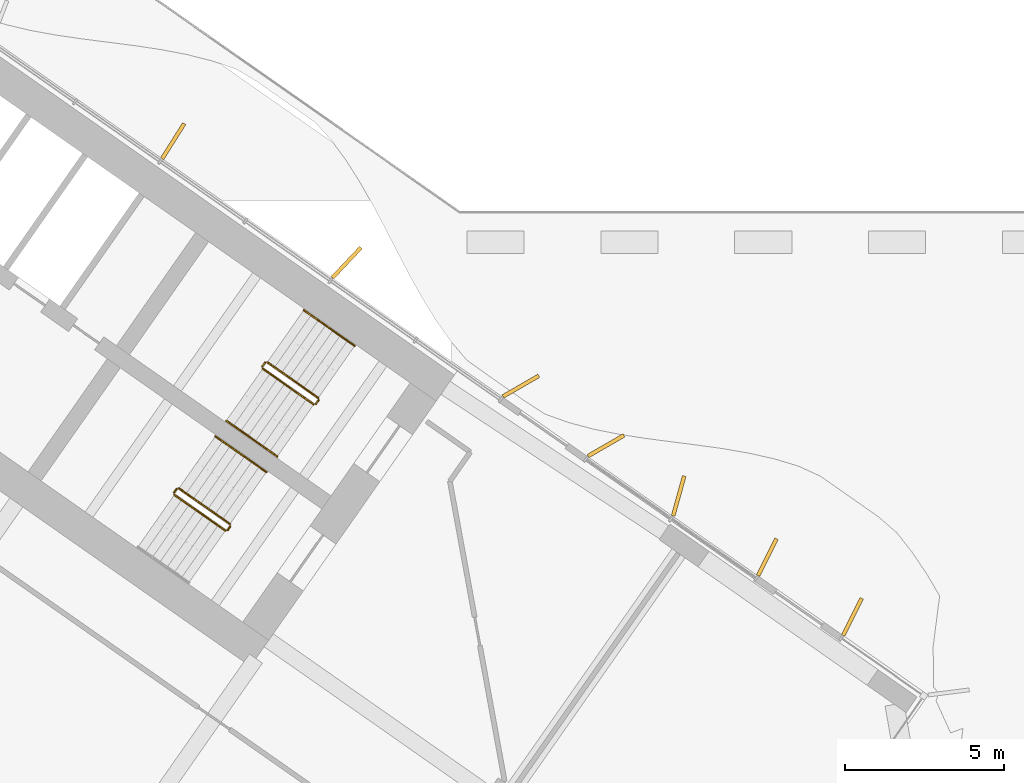
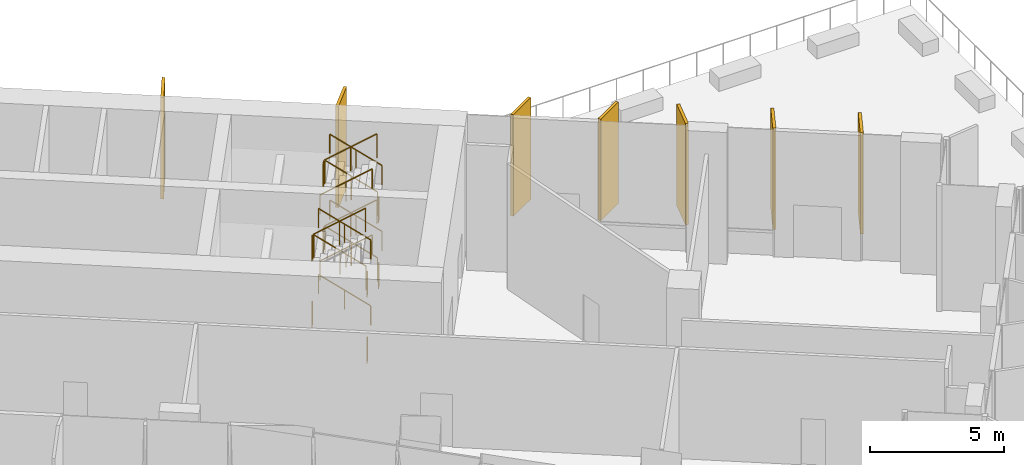
# One storey, part 26 of 27: 20 railings, 7 shading devices.
"""IFC4 building model written with IfcOpenShell, lengths in metres."""

from ifc_helpers import new_model, si_unit, direction, frame, origin, origin_2d, place, context, subcontext, project, spatial, rectangle, circle, extrude, material, layer, layer_set, type_object, element, save


model = new_model("IFC4")

# Units and contexts
model_context = context("Model", 3, precision=1e-05, world=origin(), true_north=direction((0.0, 1.0)))
body_context = subcontext(model_context, "Body", "Model", "MODEL_VIEW")
ifc_project = project(units=[si_unit("LENGTHUNIT", "METRE"), si_unit("AREAUNIT", "SQUARE_METRE"), si_unit("VOLUMEUNIT", "CUBIC_METRE"), si_unit("PLANEANGLEUNIT", "RADIAN"), si_unit("MASSUNIT", "GRAM", prefix="KILO")], contexts=[model_context])

# Site, building, storey
site_placement = place(None, origin())
site = spatial("IfcSite", under=ifc_project, at=site_placement, CompositionType="ELEMENT")
building_placement = place(site_placement, origin())
building = spatial("IfcBuilding", under=site, at=building_placement, Name="Tel Ilan Convention Tower", CompositionType="ELEMENT")
storey_placement = place(building_placement, frame((0.0, 0.0, 48.5)))
storey = spatial("IfcBuildingStorey", under=building, at=storey_placement, Name="L07", CompositionType="ELEMENT", Elevation=48.5)

# Shading devices
ifc_material_1 = material(Name="Aluminium, bronze anodised", Category="aluminium")
ifc_layer = layer(ifc_material_1, 0.1201171875)
ifc_layer_set = layer_set([ifc_layer], Name="FIN BRONZE 1300x120")
shading_device_type = type_object("IfcShadingDeviceType", Name="FIN BRONZE 1300x120", PredefinedType="USERDEFINED", material=ifc_layer_set)
for number, where, z_axis, x_axis, name in (
    (1, (40.50048828125, -14.74560546875, 1.099853515625), (0.0, 0.0, 1.0), (0.448799180206, 0.893632640321, 0.0), "FIN"),
    (2, (37.8203125, -12.86865234375, 1.099853515625), (0.0, 0.0, 1.0), (0.448799180206, 0.893632640321, 0.0), "FIN"),
    (3, (35.029052734375, -10.9375, 1.099853515625), (0.0, 0.0, 1.0), (0.268172612768, 0.963370878614, 0.0), "FIN"),
    (4, (32.740478515625, -9.357421875, 1.099853515625), (0.0, 0.0, 1.0), (0.866025403784, 0.5, 0.0), "FIN"),
    (5, (30.060302734375, -7.480712890625, 1.099853515625), (0.0, 0.0, 1.0), (0.866025403784, 0.5, 0.0), "FIN"),
    (6, (24.5732421875, -3.593017578125, 1.099853515625), (0.0, 0.0, 1.0), (0.686241637865, 0.727373641577, 0.0), "FIN"),
    (7, (19.10986328125, 0.232666015625, 1.099853515625), (0.0, 0.0, 1.0), (0.533204432798, 0.845986425922, 0.0), "FIN"),
):
    element("IfcShadingDevice", number, at=place(storey_placement, frame(where, z_axis=z_axis, x_axis=x_axis)), inside=storey, type_object=shading_device_type, Name=name, ObjectType="FIN", PredefinedType="USERDEFINED", context=body_context, shape_type="SweptSolid", body=[
        extrude(rectangle(XDim=1.300048828125, YDim=0.1201171875, at=origin_2d()), origin(), (0.0, 0.0, 1.0), 4.6201171875),
    ])

# Railings
ifc_material_2 = material(Name="Stainless Steel Grade 316", Category="steel")
railing_type_1 = type_object("IfcRailingType", Name="Stainless Steel Stair Guard 1100 mm", PredefinedType="GUARDRAIL", material=ifc_material_2)
railing_1_placement = place(storey_placement, frame((23.6787109375, -7.8515625, 0.1875)))
element("IfcRailing", 8, at=railing_1_placement, inside=storey, type_object=railing_type_1, Name="L07 S3 stair guard 1", PredefinedType="GUARDRAIL", context=body_context, shape_type="SweptSolid", body=[
    extrude(circle(Radius=0.02392578125, at=origin_2d()), frame((0.0, 0.0, 1.076171875), z_axis=(-0.680615610069, 0.476617226942, 0.556415681224), x_axis=(-0.573612813533, -0.819126571508, 0.0)), (0.0, 0.0, 1.0), 2.35888671875),
    extrude(circle(Radius=0.02099609375, at=origin_2d()), origin(), (0.0, 0.0, 1.0), 1.052001953125),
    extrude(circle(Radius=0.02099609375, at=origin_2d()), frame((-0.802734375, 0.56201171875, 0.65625)), (0.0, 0.0, 1.0), 1.052001953125),
    extrude(circle(Radius=0.02099609375, at=origin_2d()), frame((-1.60546875, 1.124267578125, 1.3125)), (0.0, 0.0, 1.0), 1.052001953125),
])
railing_2_placement = place(storey_placement, frame((22.003662109375, -6.739501953125, 1.5)))
element("IfcRailing", 9, at=railing_2_placement, inside=storey, type_object=railing_type_1, Name="L07 S3 stair guard 2", PredefinedType="GUARDRAIL", context=body_context, shape_type="SweptSolid", body=[
    extrude(circle(Radius=0.02392578125, at=origin_2d()), frame((0.0, 0.0, 1.076171875), z_axis=(-0.57368046593, -0.819079192149, 0.0), x_axis=(0.819079192149, -0.57368046593, 0.0)), (0.0, 0.0, 1.0), 0.150146484375),
    extrude(circle(Radius=0.02099609375, at=origin_2d()), origin(), (0.0, 0.0, 1.0), 1.052001953125),
    extrude(circle(Radius=0.02099609375, at=origin_2d()), frame((-0.086181640625, -0.123046875, 0.0)), (0.0, 0.0, 1.0), 1.052001953125),
])
railing_3_placement = place(storey_placement, frame((21.929931640625, -6.93212890625, 1.6875)))
element("IfcRailing", 10, at=railing_3_placement, inside=storey, type_object=railing_type_1, Name="L07 S3 stair guard 3", PredefinedType="GUARDRAIL", context=body_context, shape_type="SweptSolid", body=[
    extrude(circle(Radius=0.02392578125, at=origin_2d()), frame((0.0, 0.0, 1.076171875), z_axis=(0.680615610069, -0.476617226942, 0.556415681224), x_axis=(0.573612813533, 0.819126571508, 0.0)), (0.0, 0.0, 1.0), 2.35888671875),
    extrude(circle(Radius=0.02099609375, at=origin_2d()), origin(), (0.0, 0.0, 1.0), 1.052001953125),
    extrude(circle(Radius=0.02099609375, at=origin_2d()), frame((0.802734375, -0.56201171875, 0.65625)), (0.0, 0.0, 1.0), 1.052001953125),
    extrude(circle(Radius=0.02099609375, at=origin_2d()), frame((1.60546875, -1.124267578125, 1.3125)), (0.0, 0.0, 1.0), 1.052001953125),
])
railing_4_placement = place(storey_placement, frame((23.691162109375, -7.921142578125, 3.0)))
element("IfcRailing", 11, at=railing_4_placement, inside=storey, type_object=railing_type_1, Name="L07 S3 stair guard 4", PredefinedType="GUARDRAIL", context=body_context, shape_type="SweptSolid", body=[
    extrude(circle(Radius=0.02392578125, at=origin_2d()), frame((0.0, 0.0, 1.076171875), z_axis=(-0.574444878118, -0.818543268254, 0.0), x_axis=(0.818543268254, -0.574444878118, 0.0)), (0.0, 0.0, 1.0), 0.150146484375),
    extrude(circle(Radius=0.02099609375, at=origin_2d()), origin(), (0.0, 0.0, 1.0), 1.052001953125),
    extrude(circle(Radius=0.02099609375, at=origin_2d()), frame((-0.086181640625, -0.122802734375, 0.0)), (0.0, 0.0, 1.0), 1.052001953125),
])
railing_5_placement = place(storey_placement, frame((23.6787109375, -7.8515625, 3.1875)))
element("IfcRailing", 12, at=railing_5_placement, inside=storey, type_object=railing_type_1, Name="L07 S3 stair guard 5", PredefinedType="GUARDRAIL", context=body_context, shape_type="SweptSolid", body=[
    extrude(circle(Radius=0.02392578125, at=origin_2d()), frame((0.0, 0.0, 1.076171875), z_axis=(-0.680615610069, 0.476617226942, 0.556415681224), x_axis=(-0.573612813533, -0.819126571508, 0.0)), (0.0, 0.0, 1.0), 2.35888671875),
    extrude(circle(Radius=0.02099609375, at=origin_2d()), origin(), (0.0, 0.0, 1.0), 1.052001953125),
    extrude(circle(Radius=0.02099609375, at=origin_2d()), frame((-0.802734375, 0.56201171875, 0.65625)), (0.0, 0.0, 1.0), 1.052001953125),
    extrude(circle(Radius=0.02099609375, at=origin_2d()), frame((-1.60546875, 1.124267578125, 1.3125)), (0.0, 0.0, 1.0), 1.052001953125),
])
railing_6_placement = place(storey_placement, frame((22.003662109375, -6.739501953125, 4.5)))
element("IfcRailing", 13, at=railing_6_placement, inside=storey, type_object=railing_type_1, Name="L07 S3 stair guard 6", PredefinedType="GUARDRAIL", context=body_context, shape_type="SweptSolid", body=[
    extrude(circle(Radius=0.02392578125, at=origin_2d()), frame((0.0, 0.0, 1.076171875), z_axis=(-0.57368046593, -0.819079192149, 0.0), x_axis=(0.819079192149, -0.57368046593, 0.0)), (0.0, 0.0, 1.0), 0.150146484375),
    extrude(circle(Radius=0.02099609375, at=origin_2d()), origin(), (0.0, 0.0, 1.0), 1.052001953125),
    extrude(circle(Radius=0.02099609375, at=origin_2d()), frame((-0.086181640625, -0.123046875, 0.0)), (0.0, 0.0, 1.0), 1.052001953125),
])
railing_7_placement = place(storey_placement, frame((21.929931640625, -6.93212890625, 4.6875)))
element("IfcRailing", 14, at=railing_7_placement, inside=storey, type_object=railing_type_1, Name="L07 S3 stair guard 7", PredefinedType="GUARDRAIL", context=body_context, shape_type="SweptSolid", body=[
    extrude(circle(Radius=0.02392578125, at=origin_2d()), frame((0.0, 0.0, 1.076171875), z_axis=(0.680615610069, -0.476617226942, 0.556415681224), x_axis=(0.573612813533, 0.819126571508, 0.0)), (0.0, 0.0, 1.0), 2.35888671875),
    extrude(circle(Radius=0.02099609375, at=origin_2d()), origin(), (0.0, 0.0, 1.0), 1.052001953125),
    extrude(circle(Radius=0.02099609375, at=origin_2d()), frame((0.802734375, -0.56201171875, 0.65625)), (0.0, 0.0, 1.0), 1.052001953125),
    extrude(circle(Radius=0.02099609375, at=origin_2d()), frame((1.60546875, -1.124267578125, 1.3125)), (0.0, 0.0, 1.0), 1.052001953125),
])
railing_8_placement = place(storey_placement, frame((23.691162109375, -7.921142578125, 0.0)))
element("IfcRailing", 15, at=railing_8_placement, inside=storey, type_object=railing_type_1, Name="L07 S3 stair guard 8", PredefinedType="GUARDRAIL", context=body_context, shape_type="SweptSolid", body=[
    extrude(circle(Radius=0.02392578125, at=origin_2d()), frame((0.0, 0.0, 1.076171875), z_axis=(-0.574444878118, -0.818543268254, 0.0), x_axis=(0.818543268254, -0.574444878118, 0.0)), (0.0, 0.0, 1.0), 0.150146484375),
    extrude(circle(Radius=0.02099609375, at=origin_2d()), origin(), (0.0, 0.0, 1.0), 1.052001953125),
    extrude(circle(Radius=0.02099609375, at=origin_2d()), frame((-0.086181640625, -0.122802734375, 0.0)), (0.0, 0.0, 1.0), 1.052001953125),
])
railing_9_placement = place(storey_placement, frame((19.2216796875, -10.71240234375, 1.5)))
element("IfcRailing", 16, at=railing_9_placement, inside=storey, type_object=railing_type_1, Name="L07 S4 stair guard 2", PredefinedType="GUARDRAIL", context=body_context, shape_type="SweptSolid", body=[
    extrude(circle(Radius=0.02392578125, at=origin_2d()), frame((0.0, 0.0, 1.076171875), z_axis=(-0.572588637393, -0.819842821722, 0.0), x_axis=(0.819842821722, -0.572588637393, 0.0)), (0.0, 0.0, 1.0), 0.150146484375),
    extrude(circle(Radius=0.02099609375, at=origin_2d()), origin(), (0.0, 0.0, 1.0), 1.052001953125),
    extrude(circle(Radius=0.02099609375, at=origin_2d()), frame((-0.0859375, -0.123046875, 0.0)), (0.0, 0.0, 1.0), 1.052001953125),
])
railing_10_placement = place(storey_placement, frame((20.9091796875, -11.89404296875, 3.0)))
element("IfcRailing", 17, at=railing_10_placement, inside=storey, type_object=railing_type_1, Name="L07 S4 stair guard 4", PredefinedType="GUARDRAIL", context=body_context, shape_type="SweptSolid", body=[
    extrude(circle(Radius=0.02392578125, at=origin_2d()), frame((0.0, 0.0, 1.076171875), z_axis=(-0.573353020881, -0.819308436089, 0.0), x_axis=(0.819308436089, -0.573353020881, 0.0)), (0.0, 0.0, 1.0), 0.14990234375),
    extrude(circle(Radius=0.02099609375, at=origin_2d()), origin(), (0.0, 0.0, 1.0), 1.052001953125),
    extrude(circle(Radius=0.02099609375, at=origin_2d()), frame((-0.0859375, -0.122802734375, 0.0)), (0.0, 0.0, 1.0), 1.052001953125),
])
railing_11_placement = place(storey_placement, frame((20.89697265625, -11.824462890625, 3.1875)))
element("IfcRailing", 18, at=railing_11_placement, inside=storey, type_object=railing_type_1, Name="L07 S4 stair guard 5", PredefinedType="GUARDRAIL", context=body_context, shape_type="SweptSolid", body=[
    extrude(circle(Radius=0.02392578125, at=origin_2d()), frame((0.0, 0.0, 1.076171875), z_axis=(-0.680615610069, 0.476617226942, 0.556415681224), x_axis=(-0.573612813533, -0.819126571508, 0.0)), (0.0, 0.0, 1.0), 2.35888671875),
    extrude(circle(Radius=0.02099609375, at=origin_2d()), origin(), (0.0, 0.0, 1.0), 1.052001953125),
    extrude(circle(Radius=0.02099609375, at=origin_2d()), frame((-0.802734375, 0.56201171875, 0.65625)), (0.0, 0.0, 1.0), 1.052001953125),
    extrude(circle(Radius=0.02099609375, at=origin_2d()), frame((-1.60546875, 1.124267578125, 1.3125)), (0.0, 0.0, 1.0), 1.052001953125),
])
railing_12_placement = place(storey_placement, frame((19.2216796875, -10.71240234375, 4.5)))
element("IfcRailing", 19, at=railing_12_placement, inside=storey, type_object=railing_type_1, Name="L07 S4 stair guard 6", PredefinedType="GUARDRAIL", context=body_context, shape_type="SweptSolid", body=[
    extrude(circle(Radius=0.02392578125, at=origin_2d()), frame((0.0, 0.0, 1.076171875), z_axis=(-0.572588637393, -0.819842821722, 0.0), x_axis=(0.819842821722, -0.572588637393, 0.0)), (0.0, 0.0, 1.0), 0.150146484375),
    extrude(circle(Radius=0.02099609375, at=origin_2d()), origin(), (0.0, 0.0, 1.0), 1.052001953125),
    extrude(circle(Radius=0.02099609375, at=origin_2d()), frame((-0.0859375, -0.123046875, 0.0)), (0.0, 0.0, 1.0), 1.052001953125),
])
railing_13_placement = place(storey_placement, frame((19.14794921875, -10.905029296875, 4.6875)))
element("IfcRailing", 20, at=railing_13_placement, inside=storey, type_object=railing_type_1, Name="L07 S4 stair guard 7", PredefinedType="GUARDRAIL", context=body_context, shape_type="SweptSolid", body=[
    extrude(circle(Radius=0.02392578125, at=origin_2d()), frame((0.0, 0.0, 1.076171875), z_axis=(0.680671159075, -0.476583653268, 0.55637648642), x_axis=(0.573554290663, 0.819167550421, 0.0)), (0.0, 0.0, 1.0), 2.359130859375),
    extrude(circle(Radius=0.02099609375, at=origin_2d()), origin(), (0.0, 0.0, 1.0), 1.052001953125),
    extrude(circle(Radius=0.02099609375, at=origin_2d()), frame((0.802734375, -0.56201171875, 0.65625)), (0.0, 0.0, 1.0), 1.052001953125),
    extrude(circle(Radius=0.02099609375, at=origin_2d()), frame((1.605712890625, -1.124267578125, 1.3125)), (0.0, 0.0, 1.0), 1.052001953125),
])
railing_14_placement = place(storey_placement, frame((20.9091796875, -11.89404296875, 0.0)))
element("IfcRailing", 21, at=railing_14_placement, inside=storey, type_object=railing_type_1, Name="L07 S4 stair guard 8", PredefinedType="GUARDRAIL", context=body_context, shape_type="SweptSolid", body=[
    extrude(circle(Radius=0.02392578125, at=origin_2d()), frame((0.0, 0.0, 1.076171875), z_axis=(-0.573353020881, -0.819308436089, 0.0), x_axis=(0.819308436089, -0.573353020881, 0.0)), (0.0, 0.0, 1.0), 0.14990234375),
    extrude(circle(Radius=0.02099609375, at=origin_2d()), origin(), (0.0, 0.0, 1.0), 1.052001953125),
    extrude(circle(Radius=0.02099609375, at=origin_2d()), frame((-0.0859375, -0.122802734375, 0.0)), (0.0, 0.0, 1.0), 1.052001953125),
])
ifc_material_3 = material(Name="Stainless Steel Grade 316", Category="steel")
railing_type_2 = type_object("IfcRailingType", Name="Stainless Steel Stair Handrail 900 mm", PredefinedType="HANDRAIL", material=ifc_material_3)
railing_15_placement = place(storey_placement, frame((24.825927734375, -6.213134765625, 0.1875)))
element("IfcRailing", 22, at=railing_15_placement, inside=storey, type_object=railing_type_2, Name="L07 S3 stair handrail 1", PredefinedType="HANDRAIL", context=body_context, shape_type="SweptSolid", body=[
    extrude(circle(Radius=0.02392578125, at=origin_2d()), frame((0.0, 0.0, 0.8759765625), z_axis=(-0.680649183577, 0.476537232541, 0.55644312818), x_axis=(-0.573529226717, -0.819185098803, 0.0)), (0.0, 0.0, 1.0), 2.358642578125),
    extrude(circle(Radius=0.02099609375, at=origin_2d()), origin(), (0.0, 0.0, 1.0), 0.851806640625),
    extrude(circle(Radius=0.02099609375, at=origin_2d()), frame((-0.802734375, 0.56201171875, 0.65625)), (0.0, 0.0, 1.0), 0.851806640625),
    extrude(circle(Radius=0.02099609375, at=origin_2d()), frame((-1.60546875, 1.1240234375, 1.3125)), (0.0, 0.0, 1.0), 0.851806640625),
])
railing_16_placement = place(storey_placement, frame((20.78271484375, -8.5703125, 1.6875)))
element("IfcRailing", 23, at=railing_16_placement, inside=storey, type_object=railing_type_2, Name="L07 S3 stair handrail 2", PredefinedType="HANDRAIL", context=body_context, shape_type="SweptSolid", body=[
    extrude(circle(Radius=0.02392578125, at=origin_2d()), frame((0.0, 0.0, 0.8759765625), z_axis=(0.680615610069, -0.476617226942, 0.556415681224), x_axis=(0.573612813533, 0.819126571508, 0.0)), (0.0, 0.0, 1.0), 2.35888671875),
    extrude(circle(Radius=0.02099609375, at=origin_2d()), origin(), (0.0, 0.0, 1.0), 0.851806640625),
    extrude(circle(Radius=0.02099609375, at=origin_2d()), frame((0.802734375, -0.56201171875, 0.65625)), (0.0, 0.0, 1.0), 0.851806640625),
    extrude(circle(Radius=0.02099609375, at=origin_2d()), frame((1.60546875, -1.124267578125, 1.3125)), (0.0, 0.0, 1.0), 0.851806640625),
])
railing_17_placement = place(storey_placement, frame((24.825927734375, -6.213134765625, 3.1875)))
element("IfcRailing", 24, at=railing_17_placement, inside=storey, type_object=railing_type_2, Name="L07 S3 stair handrail 3", PredefinedType="HANDRAIL", context=body_context, shape_type="SweptSolid", body=[
    extrude(circle(Radius=0.02392578125, at=origin_2d()), frame((0.0, 0.0, 0.8759765625), z_axis=(-0.680649183577, 0.476537232541, 0.55644312818), x_axis=(-0.573529226717, -0.819185098803, 0.0)), (0.0, 0.0, 1.0), 2.358642578125),
    extrude(circle(Radius=0.02099609375, at=origin_2d()), origin(), (0.0, 0.0, 1.0), 0.851806640625),
    extrude(circle(Radius=0.02099609375, at=origin_2d()), frame((-0.802734375, 0.56201171875, 0.65625)), (0.0, 0.0, 1.0), 0.851806640625),
    extrude(circle(Radius=0.02099609375, at=origin_2d()), frame((-1.60546875, 1.1240234375, 1.3125)), (0.0, 0.0, 1.0), 0.851806640625),
])
railing_18_placement = place(storey_placement, frame((20.78271484375, -8.5703125, 4.6875)))
element("IfcRailing", 25, at=railing_18_placement, inside=storey, type_object=railing_type_2, Name="L07 S3 stair handrail 4", PredefinedType="HANDRAIL", context=body_context, shape_type="SweptSolid", body=[
    extrude(circle(Radius=0.02392578125, at=origin_2d()), frame((0.0, 0.0, 0.8759765625), z_axis=(0.680615610069, -0.476617226942, 0.556415681224), x_axis=(0.573612813533, 0.819126571508, 0.0)), (0.0, 0.0, 1.0), 2.35888671875),
    extrude(circle(Radius=0.02099609375, at=origin_2d()), origin(), (0.0, 0.0, 1.0), 0.851806640625),
    extrude(circle(Radius=0.02099609375, at=origin_2d()), frame((0.802734375, -0.56201171875, 0.65625)), (0.0, 0.0, 1.0), 0.851806640625),
    extrude(circle(Radius=0.02099609375, at=origin_2d()), frame((1.60546875, -1.124267578125, 1.3125)), (0.0, 0.0, 1.0), 0.851806640625),
])
for number, where, name in (
    (26, (22.044189453125, -10.18603515625, 0.1875), "L07 S4 stair handrail 1"),
    (27, (22.044189453125, -10.18603515625, 3.1875), "L07 S4 stair handrail 3"),
):
    element("IfcRailing", number, at=place(storey_placement, frame(where)), inside=storey, type_object=railing_type_2, Name=name, PredefinedType="HANDRAIL", context=body_context, shape_type="SweptSolid", body=[
        extrude(circle(Radius=0.02392578125, at=origin_2d()), frame((0.0, 0.0, 0.8759765625), z_axis=(-0.680704730592, 0.47650366119, 0.556403927576), x_axis=(-0.573470704013, -0.8192260687, 0.0)), (0.0, 0.0, 1.0), 2.35888671875),
        extrude(circle(Radius=0.02099609375, at=origin_2d()), origin(), (0.0, 0.0, 1.0), 0.851806640625),
        extrude(circle(Radius=0.02099609375, at=origin_2d()), frame((-0.802734375, 0.56201171875, 0.65625)), (0.0, 0.0, 1.0), 0.851806640625),
        extrude(circle(Radius=0.02099609375, at=origin_2d()), frame((-1.605712890625, 1.1240234375, 1.3125)), (0.0, 0.0, 1.0), 0.851806640625),
    ])

save(model, "model.ifc")
